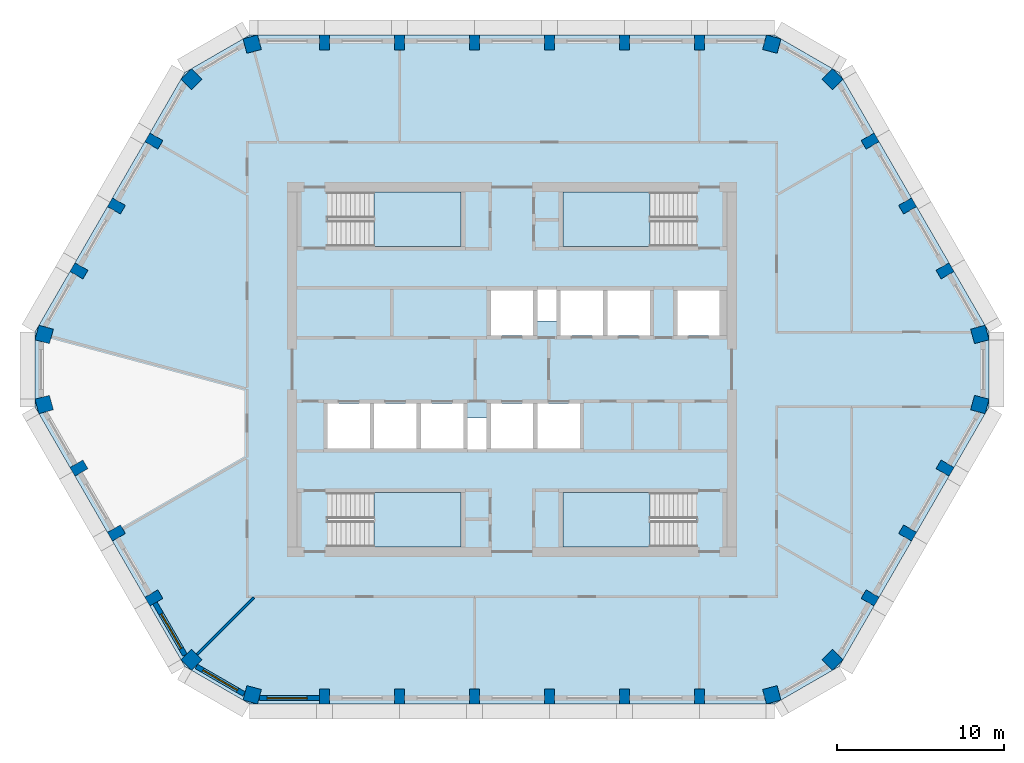
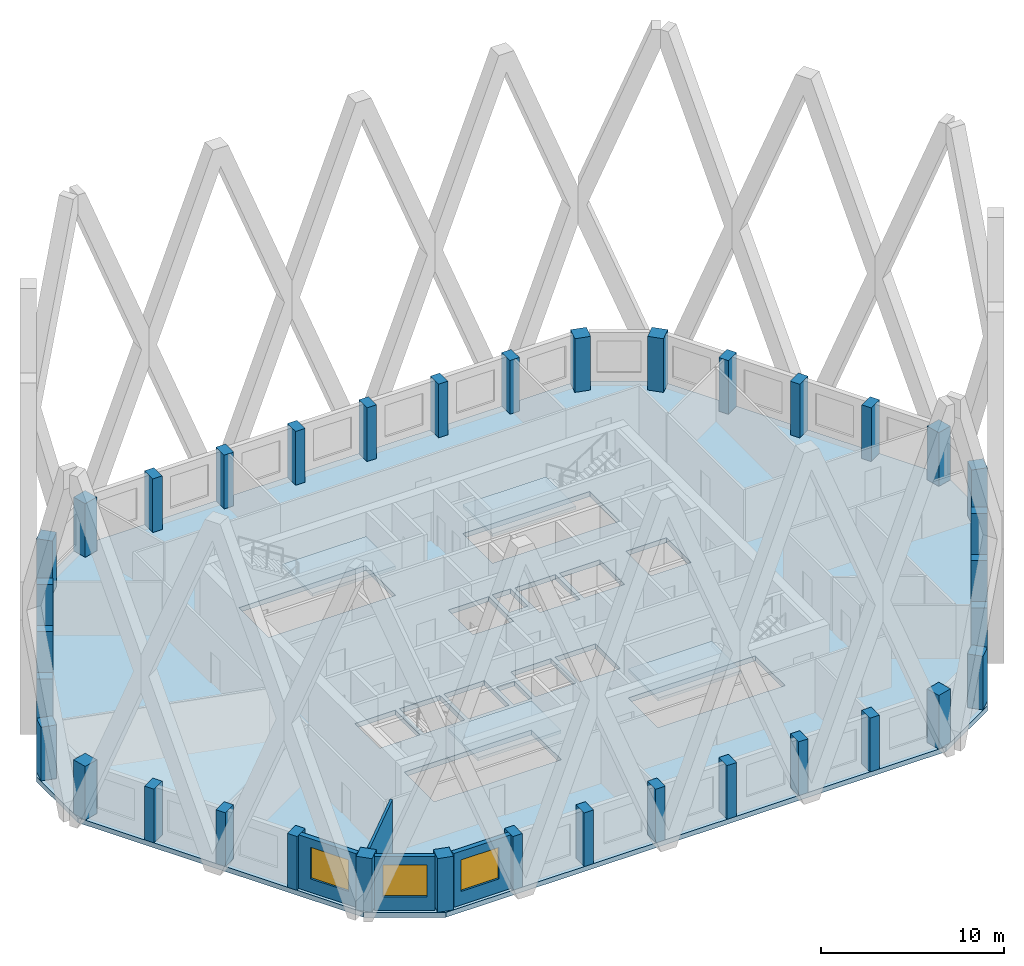
# One storey, part 1 of 14: 36 columns, 5 slabs, 4 walls, 3 windows, 3 openings, 4 elements without a shape of their own.
"""IFC4 building model written with IfcOpenShell, lengths in metres."""

from ifc_helpers import new_model, si_unit, direction, frame, frame_2d, origin, origin_2d, place, context, subcontext, project, spatial, polyline, rectangle, outline, extrude, material, layer, layer_set, material_profile, profile_set, type_object, element, fill, aggregate, save


model = new_model("IFC4")

# Units and contexts
model_context = context("Model", 3, precision=1e-05, world=origin(), true_north=direction((0.0, 1.0)))
body_context = subcontext(model_context, "Body", "Model", "MODEL_VIEW")
ifc_project = project(units=[si_unit("LENGTHUNIT", "METRE"), si_unit("AREAUNIT", "SQUARE_METRE"), si_unit("VOLUMEUNIT", "CUBIC_METRE"), si_unit("PLANEANGLEUNIT", "RADIAN"), si_unit("MASSUNIT", "GRAM", prefix="KILO")], contexts=[model_context])

# Site, building, storey
site_placement = place(None, origin())
site = spatial("IfcSite", under=ifc_project, at=site_placement, CompositionType="ELEMENT")
building_placement = place(site_placement, origin())
building = spatial("IfcBuilding", under=site, at=building_placement, Name="Dhurran Vertical Campus", CompositionType="ELEMENT")
storey_placement = place(building_placement, frame((0.0, 0.0, 286.5)))
storey = spatial("IfcBuildingStorey", under=building, at=storey_placement, Name="L71", CompositionType="ELEMENT", Elevation=286.5)

# Columns
ifc_material_1 = material(Name="Concrete C50/60", Category="concrete")
ifc_material_profile_1 = material_profile(ifc_material_1, rectangle(XDim=0.60009765625, YDim=0.89990234375, at=origin_2d()), Name="RC 600x900")
ifc_profile_set_1 = profile_set([ifc_material_profile_1], Name="Concrete C50/60")
column_type_1 = type_object("IfcColumnType", Name="FR COL RC 600x900 C50/60", PredefinedType="COLUMN", material=ifc_profile_set_1)
for number, where, z_axis, x_axis, name in (
    (1, (-11.25, -19.638427734375, 0.0), (0.0, 0.0, 1.0), (1.0, 0.0, 0.0), "Perimeter pier PP6.01"),
    (2, (-6.75, -19.638427734375, 0.0), (0.0, 0.0, 1.0), (1.0, 0.0, 0.0), "Perimeter pier PP6.02"),
    (3, (-2.25, -19.638427734375, 0.0), (0.0, 0.0, 1.0), (1.0, 0.0, 0.0), "Perimeter pier PP6.03"),
    (4, (2.25, -19.638427734375, 0.0), (0.0, 0.0, 1.0), (1.0, 0.0, 0.0), "Perimeter pier PP6.04"),
    (5, (6.75, -19.638427734375, 0.0), (0.0, 0.0, 1.0), (1.0, 0.0, 0.0), "Perimeter pier PP6.05"),
    (6, (11.25, -19.638427734375, 0.0), (0.0, 0.0, 1.0), (1.0, 0.0, 0.0), "Perimeter pier PP6.06"),
    (7, (21.50732421875, -13.71630859375, 0.0), (0.0, 0.0, 1.0), (0.5, 0.866025403784, 0.0), "Perimeter pier PP6.09"),
    (8, (23.75732421875, -9.819091796875, 0.0), (0.0, 0.0, 1.0), (0.5, 0.866025403784, 0.0), "Perimeter pier PP6.10"),
    (9, (26.00732421875, -5.922119140625, 0.0), (0.0, 0.0, 1.0), (0.5, 0.866025403784, 0.0), "Perimeter pier PP6.11"),
    (10, (26.00732421875, 5.922119140625, 0.0), (0.0, 0.0, 1.0), (-0.5, 0.866025403784, 0.0), "Perimeter pier PP6.14"),
    (11, (23.75732421875, 9.819091796875, 0.0), (0.0, 0.0, 1.0), (-0.5, 0.866025403784, 0.0), "Perimeter pier PP6.15"),
    (12, (21.50732421875, 13.71630859375, 0.0), (0.0, 0.0, 1.0), (-0.5, 0.866025403784, 0.0), "Perimeter pier PP6.16"),
    (13, (11.25, 19.638427734375, 0.0), (0.0, 0.0, 1.0), (-1.0, 0.0, 0.0), "Perimeter pier PP6.19"),
    (14, (6.75, 19.638427734375, 0.0), (0.0, 0.0, 1.0), (-1.0, 0.0, 0.0), "Perimeter pier PP6.20"),
    (15, (2.25, 19.638427734375, 0.0), (0.0, 0.0, 1.0), (-1.0, 0.0, 0.0), "Perimeter pier PP6.21"),
    (16, (-2.25, 19.638427734375, 0.0), (0.0, 0.0, 1.0), (-1.0, 0.0, 0.0), "Perimeter pier PP6.22"),
    (17, (-6.75, 19.638427734375, 0.0), (0.0, 0.0, 1.0), (-1.0, 0.0, 0.0), "Perimeter pier PP6.23"),
    (18, (-11.25, 19.638427734375, 0.0), (0.0, 0.0, 1.0), (-1.0, 0.0, 0.0), "Perimeter pier PP6.24"),
    (19, (-21.50732421875, 13.71630859375, 0.0), (0.0, 0.0, 1.0), (-0.5, -0.866025403784, 0.0), "Perimeter pier PP6.27"),
    (20, (-23.75732421875, 9.819091796875, 0.0), (0.0, 0.0, 1.0), (-0.5, -0.866025403784, 0.0), "Perimeter pier PP6.28"),
    (21, (-26.00732421875, 5.922119140625, 0.0), (0.0, 0.0, 1.0), (-0.5, -0.866025403784, 0.0), "Perimeter pier PP6.29"),
    (22, (-26.00732421875, -5.922119140625, 0.0), (0.0, 0.0, 1.0), (0.5, -0.866025403784, 0.0), "Perimeter pier PP6.32"),
    (23, (-23.75732421875, -9.819091796875, 0.0), (0.0, 0.0, 1.0), (0.5, -0.866025403784, 0.0), "Perimeter pier PP6.33"),
    (24, (-21.50732421875, -13.71630859375, 0.0), (0.0, 0.0, 1.0), (0.5, -0.866025403784, 0.0), "Perimeter pier PP6.34"),
):
    element("IfcColumn", number, at=place(storey_placement, frame(where, z_axis=z_axis, x_axis=x_axis)), inside=storey, type_object=column_type_1, Name=name, PredefinedType="COLUMN", context=body_context, shape_type="SweptSolid", body=[
        extrude(rectangle(XDim=0.60009765625, YDim=0.89990234375, at=origin_2d()), origin(), (0.0, 0.0, 1.0), 3.574951171875),
    ])
ifc_material_2 = material(Name="Concrete C50/60", Category="concrete")
ifc_material_profile_2 = material_profile(ifc_material_2, rectangle(XDim=0.89990234375, YDim=0.89990234375, at=origin_2d()), Name="RC 900x900")
ifc_profile_set_2 = profile_set([ifc_material_profile_2], Name="Concrete C50/60")
column_type_2 = type_object("IfcColumnType", Name="FR COL RC 900x900 C50/60", PredefinedType="COLUMN", material=ifc_profile_set_2)
for number, where, z_axis, x_axis, name in (
    (25, (-15.602294921875, -19.537353515625, 0.0), (0.0, 0.0, 1.0), (0.965925826289, -0.258819045103, 0.0), "Perimeter pier PP6.00"),
    (26, (15.602294921875, -19.537353515625, 0.0), (0.0, 0.0, 1.0), (0.965925826289, 0.258819045103, 0.0), "Perimeter pier PP6.07"),
    (27, (19.24365234375, -17.43505859375, 0.0), (0.0, 0.0, 1.0), (0.707106781187, 0.707106781187, 0.0), "Perimeter pier PP6.08"),
    (28, (28.095947265625, -2.102294921875, 0.0), (0.0, 0.0, 1.0), (0.258819045103, 0.965925826289, 0.0), "Perimeter pier PP6.12"),
    (29, (28.095947265625, 2.102294921875, 0.0), (0.0, 0.0, 1.0), (-0.258819045103, 0.965925826289, 0.0), "Perimeter pier PP6.13"),
    (30, (19.24365234375, 17.43505859375, 0.0), (0.0, 0.0, 1.0), (-0.707106781187, 0.707106781187, 0.0), "Perimeter pier PP6.17"),
    (31, (15.602294921875, 19.537353515625, 0.0), (0.0, 0.0, 1.0), (-0.965925826289, 0.258819045103, 0.0), "Perimeter pier PP6.18"),
    (32, (-15.602294921875, 19.537353515625, 0.0), (0.0, 0.0, 1.0), (-0.965925826289, -0.258819045103, 0.0), "Perimeter pier PP6.25"),
    (33, (-19.24365234375, 17.43505859375, 0.0), (0.0, 0.0, 1.0), (-0.707106781187, -0.707106781187, 0.0), "Perimeter pier PP6.26"),
    (34, (-28.095947265625, 2.102294921875, 0.0), (0.0, 0.0, 1.0), (-0.258819045103, -0.965925826289, 0.0), "Perimeter pier PP6.30"),
    (35, (-28.095947265625, -2.102294921875, 0.0), (0.0, 0.0, 1.0), (0.258819045103, -0.965925826289, 0.0), "Perimeter pier PP6.31"),
    (36, (-19.24365234375, -17.43505859375, 0.0), (0.0, 0.0, 1.0), (0.707106781187, -0.707106781187, 0.0), "Perimeter pier PP6.35"),
):
    element("IfcColumn", number, at=place(storey_placement, frame(where, z_axis=z_axis, x_axis=x_axis)), inside=storey, type_object=column_type_2, Name=name, PredefinedType="COLUMN", context=body_context, shape_type="SweptSolid", body=[
        extrude(rectangle(XDim=0.89990234375, YDim=0.89990234375, at=origin_2d()), origin(), (0.0, 0.0, 1.0), 3.574951171875),
    ])

# Slab
ifc_material_3 = material(Name="Concrete C40/50", Category="concrete")
ifc_layer_1 = layer(ifc_material_3, 0.324951171875)
ifc_layer_set_1 = layer_set([ifc_layer_1], Name="Concrete C40/50")
slab_type_1 = type_object("IfcSlabType", Name="FR POST-TENSIONED FLAT SLAB 325", PredefinedType="FLOOR", material=ifc_layer_set_1)
slab_1_placement = place(storey_placement, frame((0.0, 0.0, -0.324951171875)))
element("IfcSlab", 37, at=slab_1_placement, inside=storey, type_object=slab_type_1, Name="Floor slab L71", PredefinedType="FLOOR", context=body_context, shape_type="SweptSolid", body=[
    extrude(outline(polyline([(-15.75, -20.08837890625), (15.75, -20.08837890625), (19.647216796875, -17.83837890625), (28.647216796875, -2.25), (28.647216796875, 2.25), (19.647216796875, 17.83837890625), (15.75, 20.08837890625), (-15.75, 20.08837890625), (-19.647216796875, 17.83837890625), (-28.647216796875, 2.25), (-28.647216796875, -2.25), (-19.647216796875, -17.83837890625), (-15.75, -20.08837890625)]), holes=[polyline([(-1.27490234375, 2.050048828125), (1.27490234375, 2.050048828125), (1.27490234375, 4.75), (-1.27490234375, 4.75), (-1.27490234375, 2.050048828125)]), polyline([(9.925048828125, 2.050048828125), (12.47509765625, 2.050048828125), (12.47509765625, 4.75), (9.925048828125, 4.75), (9.925048828125, 2.050048828125)]), polyline([(-1.27490234375, -4.75), (1.27490234375, -4.75), (1.27490234375, -2.050048828125), (-1.27490234375, -2.050048828125), (-1.27490234375, -4.75)]), polyline([(1.52490234375, -4.75), (4.074951171875, -4.75), (4.074951171875, -2.050048828125), (1.52490234375, -2.050048828125), (1.52490234375, -4.75)]), polyline([(2.925048828125, 2.050048828125), (5.47509765625, 2.050048828125), (5.47509765625, 4.75), (2.925048828125, 4.75), (2.925048828125, 2.050048828125)]), polyline([(5.72509765625, 2.050048828125), (8.27490234375, 2.050048828125), (8.27490234375, 4.75), (5.72509765625, 4.75), (5.72509765625, 2.050048828125)]), polyline([(-11.074951171875, -4.75), (-8.52490234375, -4.75), (-8.52490234375, -2.050048828125), (-11.074951171875, -2.050048828125), (-11.074951171875, -4.75)]), polyline([(-8.27490234375, -4.75), (-5.72509765625, -4.75), (-5.72509765625, -2.050048828125), (-8.27490234375, -2.050048828125), (-8.27490234375, -4.75)]), polyline([(-5.47509765625, -4.75), (-2.925048828125, -4.75), (-2.925048828125, -2.050048828125), (-5.47509765625, -2.050048828125), (-5.47509765625, -4.75)]), polyline([(-11.050048828125, 7.39990234375), (-3.050048828125, 7.39990234375), (-3.050048828125, 10.64990234375), (-11.050048828125, 10.64990234375), (-11.050048828125, 7.39990234375)]), polyline([(3.050048828125, 7.39990234375), (11.050048828125, 7.39990234375), (11.050048828125, 10.64990234375), (3.050048828125, 10.64990234375), (3.050048828125, 7.39990234375)]), polyline([(-11.050048828125, -10.64990234375), (-3.050048828125, -10.64990234375), (-3.050048828125, -7.39990234375), (-11.050048828125, -7.39990234375), (-11.050048828125, -10.64990234375)]), polyline([(3.050048828125, -10.64990234375), (11.050048828125, -10.64990234375), (11.050048828125, -7.39990234375), (3.050048828125, -7.39990234375), (3.050048828125, -10.64990234375)]), polyline([(2.675048828125, 2.89990234375), (1.52490234375, 2.89990234375), (1.52490234375, 4.800048828125), (2.675048828125, 4.800048828125), (2.675048828125, 2.89990234375)]), polyline([(-2.675048828125, -2.89990234375), (-1.52490234375, -2.89990234375), (-1.52490234375, -4.800048828125), (-2.675048828125, -4.800048828125), (-2.675048828125, -2.89990234375)])]), origin(), (0.0, 0.0, 1.0), 0.324951171875),
])

# Stair, slab
ifc_material_4 = material(Name="Concrete C40/50", Category="concrete")
stair_type = type_object("IfcStairType", Name="co-ST-CORE", PredefinedType="HALF_TURN_STAIR", material=ifc_material_4)
stair_1_placement = place(storey_placement, origin())
stair_1 = element("IfcStair", 38, at=stair_1_placement, inside=storey, type_object=stair_type, Name="L71 Protected exit stair ST1", PredefinedType="HALF_TURN_STAIR")
ifc_material_5 = material(Name="Concrete C40/50", Category="concrete")
ifc_layer_2 = layer(ifc_material_5, 0.199951171875)
ifc_layer_set_2 = layer_set([ifc_layer_2], Name="Concrete C40/50")
slab_type_2 = type_object("IfcSlabType", Name="co-SL-LANDING", PredefinedType="LANDING", material=ifc_layer_set_2)
slab_2_placement = place(storey_placement, frame((0.0, 0.0, 1.75)))
slab_2 = element("IfcSlab", 39, at=slab_2_placement, type_object=slab_type_2, Name="ST1 landing 1", PredefinedType="LANDING", context=body_context, shape_type="SweptSolid", body=[
    extrude(outline(polyline([(-8.300048828125, 7.39990234375), (-3.050048828125, 7.39990234375), (-3.050048828125, 10.64990234375), (-8.300048828125, 10.64990234375), (-8.300048828125, 7.39990234375)])), origin(), (0.0, 0.0, 1.0), 0.199951171875),
])
aggregate(stair_1, [slab_2])

stair_2_placement = place(storey_placement, origin())
stair_2 = element("IfcStair", 40, at=stair_2_placement, inside=storey, type_object=stair_type, Name="L71 Protected exit stair ST2", PredefinedType="HALF_TURN_STAIR")
slab_3_placement = place(storey_placement, frame((0.0, 0.0, 1.75)))
slab_3 = element("IfcSlab", 41, at=slab_3_placement, type_object=slab_type_2, Name="ST2 landing 1", PredefinedType="LANDING", context=body_context, shape_type="SweptSolid", body=[
    extrude(outline(polyline([(8.300048828125, 10.64990234375), (3.050048828125, 10.64990234375), (3.050048828125, 7.39990234375), (8.300048828125, 7.39990234375), (8.300048828125, 10.64990234375)])), origin(), (0.0, 0.0, 1.0), 0.199951171875),
])
aggregate(stair_2, [slab_3])

stair_3_placement = place(storey_placement, origin())
stair_3 = element("IfcStair", 42, at=stair_3_placement, inside=storey, type_object=stair_type, Name="L71 Protected exit stair ST3", PredefinedType="HALF_TURN_STAIR")
slab_4_placement = place(storey_placement, frame((0.0, 0.0, 1.75)))
slab_4 = element("IfcSlab", 43, at=slab_4_placement, type_object=slab_type_2, Name="ST3 landing 1", PredefinedType="LANDING", context=body_context, shape_type="SweptSolid", body=[
    extrude(outline(polyline([(-8.300048828125, -10.64990234375), (-3.050048828125, -10.64990234375), (-3.050048828125, -7.39990234375), (-8.300048828125, -7.39990234375), (-8.300048828125, -10.64990234375)])), origin(), (0.0, 0.0, 1.0), 0.199951171875),
])
aggregate(stair_3, [slab_4])

stair_4_placement = place(storey_placement, origin())
stair_4 = element("IfcStair", 44, at=stair_4_placement, inside=storey, type_object=stair_type, Name="L71 Protected exit stair ST4", PredefinedType="HALF_TURN_STAIR")
slab_5_placement = place(storey_placement, frame((0.0, 0.0, 1.75)))
slab_5 = element("IfcSlab", 45, at=slab_5_placement, type_object=slab_type_2, Name="ST4 landing 1", PredefinedType="LANDING", context=body_context, shape_type="SweptSolid", body=[
    extrude(outline(polyline([(8.300048828125, -7.39990234375), (3.050048828125, -7.39990234375), (3.050048828125, -10.64990234375), (8.300048828125, -10.64990234375), (8.300048828125, -7.39990234375)])), origin(), (0.0, 0.0, 1.0), 0.199951171875),
])
aggregate(stair_4, [slab_5])

# Wall, opening, window
ifc_material_6 = material(Name="Precast concrete C50/60", Category="concrete")
ifc_layer_3 = layer(ifc_material_6, 0.300048828125)
ifc_layer_set_3 = layer_set([ifc_layer_3], Name="Precast concrete C50/60")
wall_type_1 = type_object("IfcWallType", Name="Precast spandrel wall 300", PredefinedType="SOLIDWALL", material=ifc_layer_set_3)
wall_1_placement = place(storey_placement, frame((-15.14990234375, -19.738525390625, 0.0), z_axis=(0.0, 0.0, 1.0), x_axis=(1.0, 0.0, 0.0)))
wall_1 = element("IfcWall", 46, at=wall_1_placement, inside=storey, type_object=wall_type_1, Name="EW1 L71.00", PredefinedType="SOLIDWALL", context=body_context, shape_type="SweptSolid", body=[
    extrude(rectangle(XDim=3.599365234375, YDim=0.300048828125, at=frame_2d((1.7998046875, 0.0))), origin(), (0.0, 0.0, 1.0), 3.574951171875),
])
opening_1_placement = place(wall_1_placement, frame((0.449951171875, 0.0, 0.89990234375)))
opening_1 = element("IfcOpeningElement", 47, at=opening_1_placement, cuts=wall_1, Name="Opening WT1", PredefinedType="OPENING", context=body_context, shape_type="SweptSolid", body=[
    extrude(rectangle(XDim=2.39990234375, YDim=2.10009765625, at=frame_2d((1.199951171875, 1.050048828125))), frame((0.0, 0.159912109375, 0.0), z_axis=(0.0, -1.0, 0.0), x_axis=(1.0, 0.0, 0.0)), (0.0, 0.0, 1.0), 0.320068359375),
])
ifc_material_7 = material(Name="Aluminium frame with solar-control glass", Category="aluminium")
window_type = type_object("IfcWindowType", Name="Punched window 2400 x 2100", PartitioningType="SINGLE_PANEL", PredefinedType="WINDOW", material=ifc_material_7)
window_1_placement = place(opening_1_placement, origin())
window_1 = element("IfcWindow", 48, at=window_1_placement, inside=storey, type_object=window_type, Name="WT1 L71.00", OverallHeight=2.10009765625, OverallWidth=2.39990234375, PartitioningType="SINGLE_PANEL", PredefinedType="WINDOW", context=body_context, shape_type="SweptSolid", body=[
    extrude(rectangle(XDim=2.39990234375, YDim=2.10009765625, at=frame_2d((1.199951171875, 1.050048828125))), frame((0.0, 0.030029296875, 0.0), z_axis=(0.0, -1.0, 0.0), x_axis=(1.0, 0.0, 0.0)), (0.0, 0.0, 1.0), 0.06005859375),
])
fill(opening_1, window_1)

wall_2_placement = place(storey_placement, frame((-21.44384765625, -14.026611328125, 0.0), z_axis=(0.0, 0.0, 1.0), x_axis=(0.50001992892, -0.866013897511, 0.0)))
wall_2 = element("IfcWall", 49, at=wall_2_placement, inside=storey, type_object=wall_type_1, Name="EW1 L71.34", PredefinedType="SOLIDWALL", context=body_context, shape_type="SweptSolid", body=[
    extrude(rectangle(XDim=3.599365234375, YDim=0.300048828125, at=frame_2d((1.7998046875, 0.0))), origin(), (0.0, 0.0, 1.0), 3.574951171875),
])
opening_2_placement = place(wall_2_placement, frame((0.74951171875, 0.0, 0.89990234375)))
opening_2 = element("IfcOpeningElement", 50, at=opening_2_placement, cuts=wall_2, Name="Opening WT1", PredefinedType="OPENING", context=body_context, shape_type="SweptSolid", body=[
    extrude(rectangle(XDim=2.39990234375, YDim=2.10009765625, at=frame_2d((1.199951171875, 1.050048828125))), frame((0.0, 0.159912109375, 0.0), z_axis=(0.0, -1.0, 0.0), x_axis=(1.0, 0.0, 0.0)), (0.0, 0.0, 1.0), 0.320068359375),
])
window_2_placement = place(opening_2_placement, origin())
window_2 = element("IfcWindow", 51, at=window_2_placement, inside=storey, type_object=window_type, Name="WT1 L71.34", OverallHeight=2.10009765625, OverallWidth=2.39990234375, PartitioningType="SINGLE_PANEL", PredefinedType="WINDOW", context=body_context, shape_type="SweptSolid", body=[
    extrude(rectangle(XDim=2.39990234375, YDim=2.10009765625, at=frame_2d((1.199951171875, 1.050048828125))), frame((0.0, 0.030029296875, 0.0), z_axis=(0.0, -1.0, 0.0), x_axis=(1.0, 0.0, 0.0)), (0.0, 0.0, 1.0), 0.06005859375),
])
fill(opening_2, window_2)

wall_3_placement = place(storey_placement, frame((-18.952392578125, -17.83544921875, 0.0), z_axis=(0.0, 0.0, 1.0), x_axis=(0.866021716278, -0.500006386895, 0.0)))
wall_3 = element("IfcWall", 52, at=wall_3_placement, inside=storey, type_object=wall_type_1, Name="EW1 L71.35", PredefinedType="SOLIDWALL", context=body_context, shape_type="SweptSolid", body=[
    extrude(rectangle(XDim=3.2998046875, YDim=0.300048828125, at=frame_2d((1.64990234375, 0.0))), origin(), (0.0, 0.0, 1.0), 3.574951171875),
])
opening_3_placement = place(wall_3_placement, frame((0.449951171875, 0.0, 0.89990234375)))
opening_3 = element("IfcOpeningElement", 53, at=opening_3_placement, cuts=wall_3, Name="Opening WT1", PredefinedType="OPENING", context=body_context, shape_type="SweptSolid", body=[
    extrude(rectangle(XDim=2.39990234375, YDim=2.10009765625, at=frame_2d((1.199951171875, 1.050048828125))), frame((0.0, 0.159912109375, 0.0), z_axis=(0.0, -1.0, 0.0), x_axis=(1.0, 0.0, 0.0)), (0.0, 0.0, 1.0), 0.320068359375),
])
window_3_placement = place(opening_3_placement, origin())
window_3 = element("IfcWindow", 54, at=window_3_placement, inside=storey, type_object=window_type, Name="WT1 L71.35", OverallHeight=2.10009765625, OverallWidth=2.39990234375, PartitioningType="SINGLE_PANEL", PredefinedType="WINDOW", context=body_context, shape_type="SweptSolid", body=[
    extrude(rectangle(XDim=2.39990234375, YDim=2.10009765625, at=frame_2d((1.199951171875, 1.050048828125))), frame((0.0, 0.030029296875, 0.0), z_axis=(0.0, -1.0, 0.0), x_axis=(1.0, 0.0, 0.0)), (0.0, 0.0, 1.0), 0.06005859375),
])
fill(opening_3, window_3)

# Wall
ifc_material_8 = material(Name="Gypsum board partition on steel studs", Category="steel")
ifc_layer_4 = layer(ifc_material_8, 0.14990234375)
ifc_layer_set_4 = layer_set([ifc_layer_4], Name="Gypsum board partition on steel studs")
wall_type_2 = type_object("IfcWallType", Name="fl-PW-150 fixed partition", PredefinedType="PARTITIONING", material=ifc_layer_set_4)
wall_4_placement = place(storey_placement, frame((-15.511962890625, -13.702880859375, 0.0), z_axis=(0.0, 0.0, 1.0), x_axis=(-0.707030604857, -0.70718294931, 0.0)))
element("IfcWall", 55, at=wall_4_placement, inside=storey, type_object=wall_type_2, Name="Partition 71-04", PredefinedType="PARTITIONING", context=body_context, shape_type="SweptSolid", body=[
    extrude(rectangle(XDim=4.8076171875, YDim=0.14990234375, at=frame_2d((2.40380859375, 0.0))), origin(), (0.0, 0.0, 1.0), 3.574951171875),
])

save(model, "model.ifc")
